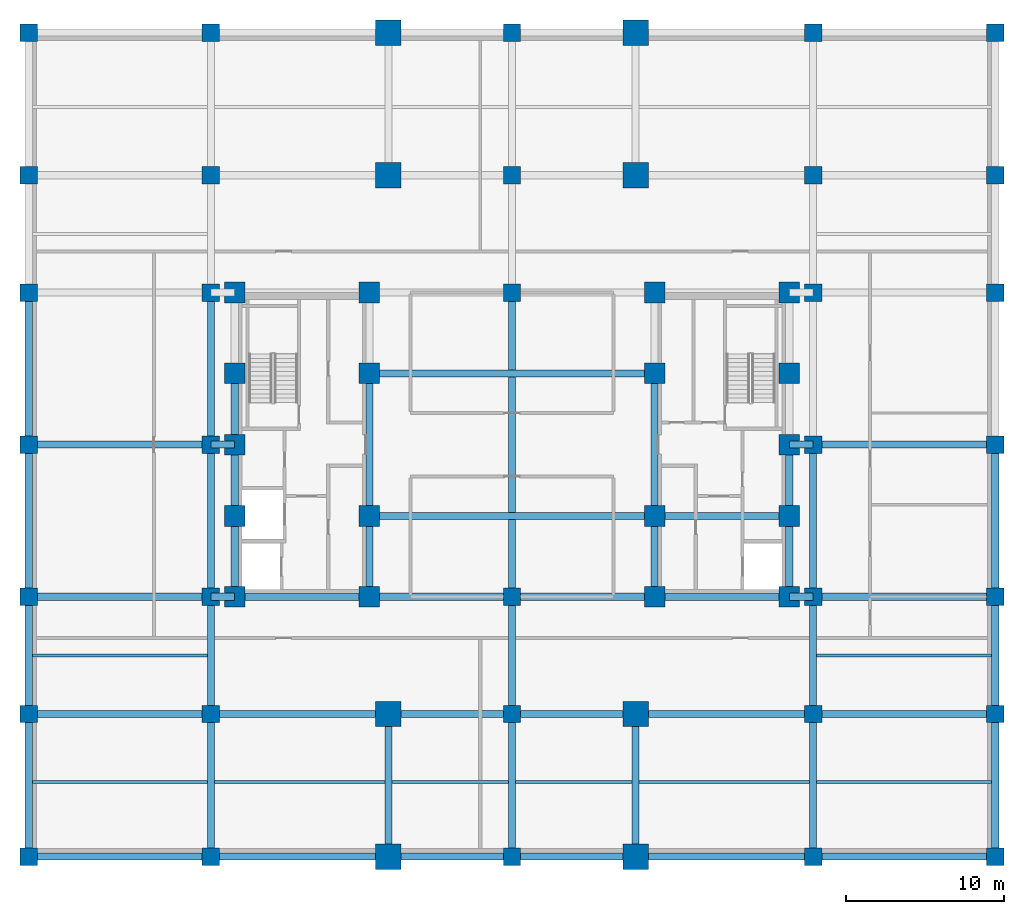
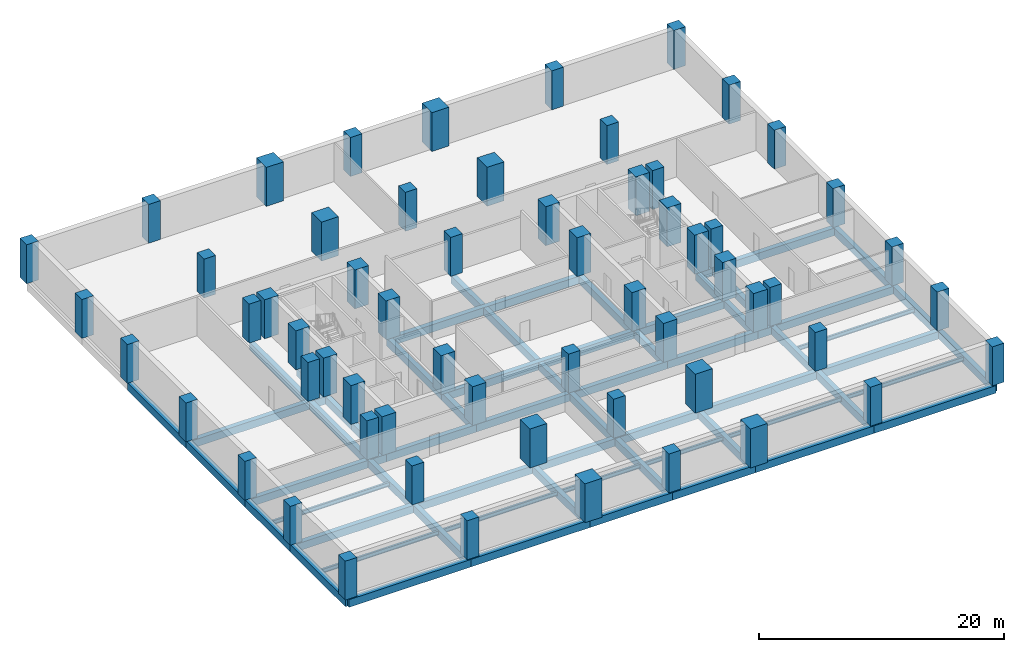
# One storey, part 1 of 6: 63 beams, 60 columns.
"""IFC4 building model written with IfcOpenShell, lengths in metres."""

from ifc_helpers import new_model, si_unit, direction, frame, origin, origin_2d, place, context, subcontext, project, spatial, rectangle, i_section, extrude, material, material_profile, profile_set, type_object, element, save


model = new_model("IFC4")

# Units and contexts
model_context = context("Model", 3, precision=1e-05, world=origin(), true_north=direction((0.0, 1.0)))
body_context = subcontext(model_context, "Body", "Model", "MODEL_VIEW")
ifc_project = project(units=[si_unit("LENGTHUNIT", "METRE"), si_unit("AREAUNIT", "SQUARE_METRE"), si_unit("VOLUMEUNIT", "CUBIC_METRE"), si_unit("PLANEANGLEUNIT", "RADIAN"), si_unit("MASSUNIT", "GRAM", prefix="KILO")], contexts=[model_context])

# Site, building, storey
site_placement = place(None, origin())
site = spatial("IfcSite", under=ifc_project, at=site_placement, CompositionType="ELEMENT")
building_placement = place(site_placement, origin())
building = spatial("IfcBuilding", under=site, at=building_placement, Name="Nuvemarco Arch Tower", CompositionType="ELEMENT")
storey_placement = place(building_placement, frame((0.0, 0.0, -4.199951171875)))
storey = spatial("IfcBuildingStorey", under=building, at=storey_placement, Name="B01", CompositionType="ELEMENT", Elevation=-4.199951171875)

# Columns
ifc_material_1 = material(Name="Concrete C60/75", Category="concrete")
ifc_material_profile_1 = material_profile(ifc_material_1, rectangle(XDim=1.10009765625, YDim=1.10009765625, at=origin_2d()), Name="RC-COL-1100x1100")
ifc_profile_set_1 = profile_set([ifc_material_profile_1], Name="Concrete C60/75")
column_type_1 = type_object("IfcColumnType", Name="COL-CORE-1100", PredefinedType="COLUMN", material=ifc_profile_set_1)
for number, where, z_axis, x_axis, name in (
    (1, (-30.5, -26.0, 0.0), (0.0, 0.0, 1.0), (1.0, 0.0, 0.0), "B01 column CP_-30.5_-26.0"),
    (2, (-30.5, -17.0, 0.0), (0.0, 0.0, 1.0), (1.0, 0.0, 0.0), "B01 column CP_-30.5_-17.0"),
    (3, (-30.5, -9.60009765625, 0.0), (0.0, 0.0, 1.0), (1.0, 0.0, 0.0), "B01 column CP_-30.5_-9.6"),
    (4, (-30.5, 0.0, 0.0), (0.0, 0.0, 1.0), (1.0, 0.0, 0.0), "B01 column CP_-30.5_+0.0"),
    (5, (-30.5, 9.60009765625, 0.0), (0.0, 0.0, 1.0), (1.0, 0.0, 0.0), "B01 column CP_-30.5_+9.6"),
    (6, (-30.5, 17.0, 0.0), (0.0, 0.0, 1.0), (1.0, 0.0, 0.0), "B01 column CP_-30.5_+17.0"),
    (7, (-30.5, 26.0, 0.0), (0.0, 0.0, 1.0), (1.0, 0.0, 0.0), "B01 column CP_-30.5_+26.0"),
    (8, (-19.0, -26.0, 0.0), (0.0, 0.0, 1.0), (1.0, 0.0, 0.0), "B01 column CP_-19.0_-26.0"),
    (9, (-19.0, -17.0, 0.0), (0.0, 0.0, 1.0), (1.0, 0.0, 0.0), "B01 column CP_-19.0_-17.0"),
    (10, (-19.0, -9.60009765625, 0.0), (0.0, 0.0, 1.0), (1.0, 0.0, 0.0), "B01 column CP_-19.0_-9.6"),
    (11, (-19.0, 0.0, 0.0), (0.0, 0.0, 1.0), (1.0, 0.0, 0.0), "B01 column CP_-19.0_+0.0"),
    (12, (-19.0, 9.60009765625, 0.0), (0.0, 0.0, 1.0), (1.0, 0.0, 0.0), "B01 column CP_-19.0_+9.6"),
    (13, (-19.0, 17.0, 0.0), (0.0, 0.0, 1.0), (1.0, 0.0, 0.0), "B01 column CP_-19.0_+17.0"),
    (14, (-19.0, 26.0, 0.0), (0.0, 0.0, 1.0), (1.0, 0.0, 0.0), "B01 column CP_-19.0_+26.0"),
    (15, (19.0, -26.0, 0.0), (0.0, 0.0, 1.0), (1.0, 0.0, 0.0), "B01 column CP_+19.0_-26.0"),
    (16, (19.0, -17.0, 0.0), (0.0, 0.0, 1.0), (1.0, 0.0, 0.0), "B01 column CP_+19.0_-17.0"),
    (17, (19.0, -9.60009765625, 0.0), (0.0, 0.0, 1.0), (1.0, 0.0, 0.0), "B01 column CP_+19.0_-9.6"),
    (18, (19.0, 0.0, 0.0), (0.0, 0.0, 1.0), (1.0, 0.0, 0.0), "B01 column CP_+19.0_+0.0"),
    (19, (19.0, 9.60009765625, 0.0), (0.0, 0.0, 1.0), (1.0, 0.0, 0.0), "B01 column CP_+19.0_+9.6"),
    (20, (19.0, 17.0, 0.0), (0.0, 0.0, 1.0), (1.0, 0.0, 0.0), "B01 column CP_+19.0_+17.0"),
    (21, (19.0, 26.0, 0.0), (0.0, 0.0, 1.0), (1.0, 0.0, 0.0), "B01 column CP_+19.0_+26.0"),
    (22, (30.5, -26.0, 0.0), (0.0, 0.0, 1.0), (1.0, 0.0, 0.0), "B01 column CP_+30.5_-26.0"),
    (23, (30.5, -17.0, 0.0), (0.0, 0.0, 1.0), (1.0, 0.0, 0.0), "B01 column CP_+30.5_-17.0"),
    (24, (30.5, -9.60009765625, 0.0), (0.0, 0.0, 1.0), (1.0, 0.0, 0.0), "B01 column CP_+30.5_-9.6"),
    (25, (30.5, 0.0, 0.0), (0.0, 0.0, 1.0), (1.0, 0.0, 0.0), "B01 column CP_+30.5_+0.0"),
    (26, (30.5, 9.60009765625, 0.0), (0.0, 0.0, 1.0), (1.0, 0.0, 0.0), "B01 column CP_+30.5_+9.6"),
    (27, (30.5, 17.0, 0.0), (0.0, 0.0, 1.0), (1.0, 0.0, 0.0), "B01 column CP_+30.5_+17.0"),
    (28, (30.5, 26.0, 0.0), (0.0, 0.0, 1.0), (1.0, 0.0, 0.0), "B01 column CP_+30.5_+26.0"),
    (29, (0.0, -26.0, 0.0), (0.0, 0.0, 1.0), (1.0, 0.0, 0.0), "B01 column CB_0.0_-26.0"),
    (30, (0.0, -17.0, 0.0), (0.0, 0.0, 1.0), (1.0, 0.0, 0.0), "B01 column CB_0.0_-17.0"),
    (31, (0.0, -9.60009765625, 0.0), (0.0, 0.0, 1.0), (1.0, 0.0, 0.0), "B01 column CB_0.0_-9.6"),
    (32, (0.0, 9.60009765625, 0.0), (0.0, 0.0, 1.0), (1.0, 0.0, 0.0), "B01 column CB_0.0_+9.6"),
    (33, (0.0, 17.0, 0.0), (0.0, 0.0, 1.0), (1.0, 0.0, 0.0), "B01 column CB_0.0_+17.0"),
    (34, (0.0, 26.0, 0.0), (0.0, 0.0, 1.0), (1.0, 0.0, 0.0), "B01 column CB_0.0_+26.0"),
):
    element("IfcColumn", number, at=place(storey_placement, frame(where, z_axis=z_axis, x_axis=x_axis)), inside=storey, type_object=column_type_1, Name=name, PredefinedType="COLUMN", context=body_context, shape_type="SweptSolid", body=[
        extrude(rectangle(XDim=1.10009765625, YDim=1.10009765625, at=origin_2d()), origin(), (0.0, 0.0, 1.0), 3.8798828125),
    ])
ifc_material_profile_2 = material_profile(ifc_material_1, rectangle(XDim=1.300048828125, YDim=1.300048828125, at=origin_2d()), Name="RC-COL-1300x1300")
ifc_profile_set_2 = profile_set([ifc_material_profile_2], Name="Concrete C60/75")
column_type_2 = type_object("IfcColumnType", Name="COL-CORE-1300", PredefinedType="COLUMN", material=ifc_profile_set_2)
for number, where, z_axis, x_axis, name in (
    (35, (-17.5, -9.60009765625, 0.0), (0.0, 0.0, 1.0), (1.0, 0.0, 0.0), "B01 column CC_-17.5_-9.6"),
    (36, (-17.5, -4.5, 0.0), (0.0, 0.0, 1.0), (1.0, 0.0, 0.0), "B01 column CC_-17.5_-4.5"),
    (37, (-17.5, 4.5, 0.0), (0.0, 0.0, 1.0), (1.0, 0.0, 0.0), "B01 column CC_-17.5_+4.5"),
    (38, (-17.5, 9.60009765625, 0.0), (0.0, 0.0, 1.0), (1.0, 0.0, 0.0), "B01 column CC_-17.5_+9.6"),
    (39, (-9.0, -9.60009765625, 0.0), (0.0, 0.0, 1.0), (1.0, 0.0, 0.0), "B01 column CC_-9.0_-9.6"),
    (40, (-9.0, -4.5, 0.0), (0.0, 0.0, 1.0), (1.0, 0.0, 0.0), "B01 column CC_-9.0_-4.5"),
    (41, (-9.0, 4.5, 0.0), (0.0, 0.0, 1.0), (1.0, 0.0, 0.0), "B01 column CC_-9.0_+4.5"),
    (42, (-9.0, 9.60009765625, 0.0), (0.0, 0.0, 1.0), (1.0, 0.0, 0.0), "B01 column CC_-9.0_+9.6"),
    (43, (9.0, -9.60009765625, 0.0), (0.0, 0.0, 1.0), (1.0, 0.0, 0.0), "B01 column CC_+9.0_-9.6"),
    (44, (9.0, -4.5, 0.0), (0.0, 0.0, 1.0), (1.0, 0.0, 0.0), "B01 column CC_+9.0_-4.5"),
    (45, (9.0, 4.5, 0.0), (0.0, 0.0, 1.0), (1.0, 0.0, 0.0), "B01 column CC_+9.0_+4.5"),
    (46, (9.0, 9.60009765625, 0.0), (0.0, 0.0, 1.0), (1.0, 0.0, 0.0), "B01 column CC_+9.0_+9.6"),
    (47, (17.5, -9.60009765625, 0.0), (0.0, 0.0, 1.0), (1.0, 0.0, 0.0), "B01 column CC_+17.5_-9.6"),
    (48, (17.5, -4.5, 0.0), (0.0, 0.0, 1.0), (1.0, 0.0, 0.0), "B01 column CC_+17.5_-4.5"),
    (49, (17.5, 4.5, 0.0), (0.0, 0.0, 1.0), (1.0, 0.0, 0.0), "B01 column CC_+17.5_+4.5"),
    (50, (17.5, 9.60009765625, 0.0), (0.0, 0.0, 1.0), (1.0, 0.0, 0.0), "B01 column CC_+17.5_+9.6"),
    (51, (-17.5, 0.0, 0.0), (0.0, 0.0, 1.0), (1.0, 0.0, 0.0), "B01 column CC_-17.5_+0.0"),
    (52, (17.5, 0.0, 0.0), (0.0, 0.0, 1.0), (1.0, 0.0, 0.0), "B01 column CC_+17.5_+0.0"),
):
    element("IfcColumn", number, at=place(storey_placement, frame(where, z_axis=z_axis, x_axis=x_axis)), inside=storey, type_object=column_type_2, Name=name, PredefinedType="COLUMN", context=body_context, shape_type="SweptSolid", body=[
        extrude(rectangle(XDim=1.300048828125, YDim=1.300048828125, at=origin_2d()), origin(), (0.0, 0.0, 1.0), 3.8798828125),
    ])
ifc_material_profile_3 = material_profile(ifc_material_1, rectangle(XDim=1.60009765625, YDim=1.60009765625, at=origin_2d()), Name="RC-COL-1600x1600")
ifc_profile_set_3 = profile_set([ifc_material_profile_3], Name="Concrete C60/75")
column_type_3 = type_object("IfcColumnType", Name="COL-MEGA-1600", PredefinedType="COLUMN", material=ifc_profile_set_3)
for number, where, z_axis, x_axis, name in (
    (53, (-7.800048828125, -26.0, 0.0), (0.0, 0.0, 1.0), (1.0, 0.0, 0.0), "B01 column CM_-7.8_-26.0"),
    (54, (-7.800048828125, -17.0, 0.0), (0.0, 0.0, 1.0), (1.0, 0.0, 0.0), "B01 column CM_-7.8_-17.0"),
    (55, (-7.800048828125, 17.0, 0.0), (0.0, 0.0, 1.0), (1.0, 0.0, 0.0), "B01 column CM_-7.8_+17.0"),
    (56, (-7.800048828125, 26.0, 0.0), (0.0, 0.0, 1.0), (1.0, 0.0, 0.0), "B01 column CM_-7.8_+26.0"),
    (57, (7.800048828125, -26.0, 0.0), (0.0, 0.0, 1.0), (1.0, 0.0, 0.0), "B01 column CM_+7.8_-26.0"),
    (58, (7.800048828125, -17.0, 0.0), (0.0, 0.0, 1.0), (1.0, 0.0, 0.0), "B01 column CM_+7.8_-17.0"),
    (59, (7.800048828125, 17.0, 0.0), (0.0, 0.0, 1.0), (1.0, 0.0, 0.0), "B01 column CM_+7.8_+17.0"),
    (60, (7.800048828125, 26.0, 0.0), (0.0, 0.0, 1.0), (1.0, 0.0, 0.0), "B01 column CM_+7.8_+26.0"),
):
    element("IfcColumn", number, at=place(storey_placement, frame(where, z_axis=z_axis, x_axis=x_axis)), inside=storey, type_object=column_type_3, Name=name, PredefinedType="COLUMN", context=body_context, shape_type="SweptSolid", body=[
        extrude(rectangle(XDim=1.60009765625, YDim=1.60009765625, at=origin_2d()), origin(), (0.0, 0.0, 1.0), 3.8798828125),
    ])

# Beams
ifc_material_2 = material(Name="Concrete C50/60", Category="concrete")
ifc_material_profile_4 = material_profile(ifc_material_2, rectangle(XDim=0.449951171875, YDim=0.75, at=origin_2d()), Name="RC-BM-450x750")
ifc_profile_set_4 = profile_set([ifc_material_profile_4], Name="Concrete C50/60")
beam_type_1 = type_object("IfcBeamType", Name="BM-BASE-RC", PredefinedType="BEAM", material=ifc_profile_set_4)
beam_1_placement = place(storey_placement, frame((-30.5, -26.0, -0.72509765625), z_axis=(0.0, 1.0, 0.0), x_axis=(-1.0, 0.0, 0.0)))
element("IfcBeam", 61, at=beam_1_placement, inside=storey, type_object=beam_type_1, Name="B01 structural beam BGNS_B01_0_-30.5_-26.0", PredefinedType="BEAM", context=body_context, shape_type="SweptSolid", body=[
    extrude(rectangle(XDim=0.449951171875, YDim=0.75, at=origin_2d()), origin(), (0.0, 0.0, 1.0), 9.0),
])
beam_2_placement = place(storey_placement, frame((-30.5, -17.0, -0.72509765625), z_axis=(0.0, 1.0, 0.0), x_axis=(-1.0, 0.0, 0.0)))
element("IfcBeam", 62, at=beam_2_placement, inside=storey, type_object=beam_type_1, Name="B01 structural beam BGNS_B01_0_-30.5_-17.0", PredefinedType="BEAM", context=body_context, shape_type="SweptSolid", body=[
    extrude(rectangle(XDim=0.449951171875, YDim=0.75, at=origin_2d()), origin(), (0.0, 0.0, 1.0), 7.39990234375),
])
for number, where, z_axis, x_axis, name in (
    (63, (-30.5, -9.60009765625, -0.72509765625), (0.0, 1.0, 0.0), (-1.0, 0.0, 0.0), "B01 structural beam BGNS_B01_0_-30.5_-9.6"),
    (64, (-30.5, 0.0, -0.72509765625), (0.0, 1.0, 0.0), (-1.0, 0.0, 0.0), "B01 structural beam BGNS_B01_0_-30.5_+0.0"),
):
    element("IfcBeam", number, at=place(storey_placement, frame(where, z_axis=z_axis, x_axis=x_axis)), inside=storey, type_object=beam_type_1, Name=name, PredefinedType="BEAM", context=body_context, shape_type="SweptSolid", body=[
        extrude(rectangle(XDim=0.449951171875, YDim=0.75, at=origin_2d()), origin(), (0.0, 0.0, 1.0), 9.60009765625),
    ])
beam_3_placement = place(storey_placement, frame((-19.0, -26.0, -0.72509765625), z_axis=(0.0, 1.0, 0.0), x_axis=(-1.0, 0.0, 0.0)))
element("IfcBeam", 65, at=beam_3_placement, inside=storey, type_object=beam_type_1, Name="B01 structural beam BGNS_B01_0_-19.0_-26.0", PredefinedType="BEAM", context=body_context, shape_type="SweptSolid", body=[
    extrude(rectangle(XDim=0.449951171875, YDim=0.75, at=origin_2d()), origin(), (0.0, 0.0, 1.0), 9.0),
])
beam_4_placement = place(storey_placement, frame((-19.0, -17.0, -0.72509765625), z_axis=(0.0, 1.0, 0.0), x_axis=(-1.0, 0.0, 0.0)))
element("IfcBeam", 66, at=beam_4_placement, inside=storey, type_object=beam_type_1, Name="B01 structural beam BGNS_B01_0_-19.0_-17.0", PredefinedType="BEAM", context=body_context, shape_type="SweptSolid", body=[
    extrude(rectangle(XDim=0.449951171875, YDim=0.75, at=origin_2d()), origin(), (0.0, 0.0, 1.0), 7.39990234375),
])
for number, where, z_axis, x_axis, name in (
    (67, (-19.0, -9.60009765625, -0.72509765625), (0.0, 1.0, 0.0), (-1.0, 0.0, 0.0), "B01 structural beam BGNS_B01_0_-19.0_-9.6"),
    (68, (-19.0, 0.0, -0.72509765625), (0.0, 1.0, 0.0), (-1.0, 0.0, 0.0), "B01 structural beam BGNS_B01_0_-19.0_+0.0"),
):
    element("IfcBeam", number, at=place(storey_placement, frame(where, z_axis=z_axis, x_axis=x_axis)), inside=storey, type_object=beam_type_1, Name=name, PredefinedType="BEAM", context=body_context, shape_type="SweptSolid", body=[
        extrude(rectangle(XDim=0.449951171875, YDim=0.75, at=origin_2d()), origin(), (0.0, 0.0, 1.0), 9.60009765625),
    ])
beam_5_placement = place(storey_placement, frame((-17.5, -9.60009765625, -0.72509765625), z_axis=(0.0, 1.0, 0.0), x_axis=(-1.0, 0.0, 0.0)))
element("IfcBeam", 69, at=beam_5_placement, inside=storey, type_object=beam_type_1, Name="B01 structural beam BGNS_B01_0_-17.5_-9.6", PredefinedType="BEAM", context=body_context, shape_type="SweptSolid", body=[
    extrude(rectangle(XDim=0.449951171875, YDim=0.75, at=origin_2d()), origin(), (0.0, 0.0, 1.0), 5.10009765625),
])
for number, where, z_axis, x_axis, name in (
    (70, (-17.5, -4.5, -0.72509765625), (0.0, 1.0, 0.0), (-1.0, 0.0, 0.0), "B01 structural beam BGNS_B01_0_-17.5_-4.5"),
    (71, (-17.5, 0.0, -0.72509765625), (0.0, 1.0, 0.0), (-1.0, 0.0, 0.0), "B01 structural beam BGNS_B01_0_-17.5_+0.0"),
):
    element("IfcBeam", number, at=place(storey_placement, frame(where, z_axis=z_axis, x_axis=x_axis)), inside=storey, type_object=beam_type_1, Name=name, PredefinedType="BEAM", context=body_context, shape_type="SweptSolid", body=[
        extrude(rectangle(XDim=0.449951171875, YDim=0.75, at=origin_2d()), origin(), (0.0, 0.0, 1.0), 4.5),
    ])
beam_6_placement = place(storey_placement, frame((-9.0, -9.60009765625, -0.72509765625), z_axis=(0.0, 1.0, 0.0), x_axis=(-1.0, 0.0, 0.0)))
element("IfcBeam", 72, at=beam_6_placement, inside=storey, type_object=beam_type_1, Name="B01 structural beam BGNS_B01_0_-9.0_-9.6", PredefinedType="BEAM", context=body_context, shape_type="SweptSolid", body=[
    extrude(rectangle(XDim=0.449951171875, YDim=0.75, at=origin_2d()), origin(), (0.0, 0.0, 1.0), 5.10009765625),
])
for number, where, z_axis, x_axis, name in (
    (73, (-9.0, -4.5, -0.72509765625), (0.0, 1.0, 0.0), (-1.0, 0.0, 0.0), "B01 structural beam BGNS_B01_0_-9.0_-4.5"),
    (74, (-7.800048828125, -26.0, -0.72509765625), (0.0, 1.0, 0.0), (-1.0, 0.0, 0.0), "B01 structural beam BGNS_B01_0_-7.8_-26.0"),
    (75, (0.0, -26.0, -0.72509765625), (0.0, 1.0, 0.0), (-1.0, 0.0, 0.0), "B01 structural beam BGNS_B01_0_+0.0_-26.0"),
):
    element("IfcBeam", number, at=place(storey_placement, frame(where, z_axis=z_axis, x_axis=x_axis)), inside=storey, type_object=beam_type_1, Name=name, PredefinedType="BEAM", context=body_context, shape_type="SweptSolid", body=[
        extrude(rectangle(XDim=0.449951171875, YDim=0.75, at=origin_2d()), origin(), (0.0, 0.0, 1.0), 9.0),
    ])
beam_7_placement = place(storey_placement, frame((0.0, -17.0, -0.72509765625), z_axis=(0.0, 1.0, 0.0), x_axis=(-1.0, 0.0, 0.0)))
element("IfcBeam", 76, at=beam_7_placement, inside=storey, type_object=beam_type_1, Name="B01 structural beam BGNS_B01_0_+0.0_-17.0", PredefinedType="BEAM", context=body_context, shape_type="SweptSolid", body=[
    extrude(rectangle(XDim=0.449951171875, YDim=0.75, at=origin_2d()), origin(), (0.0, 0.0, 1.0), 7.39990234375),
])
beam_8_placement = place(storey_placement, frame((0.0, -9.60009765625, -0.72509765625), z_axis=(0.0, 1.0, 0.0), x_axis=(-1.0, 0.0, 0.0)))
element("IfcBeam", 77, at=beam_8_placement, inside=storey, type_object=beam_type_1, Name="B01 structural beam BGNS_B01_0_+0.0_-9.6", PredefinedType="BEAM", context=body_context, shape_type="SweptSolid", body=[
    extrude(rectangle(XDim=0.449951171875, YDim=0.75, at=origin_2d()), origin(), (0.0, 0.0, 1.0), 19.2001953125),
])
beam_9_placement = place(storey_placement, frame((7.800048828125, -26.0, -0.72509765625), z_axis=(0.0, 1.0, 0.0), x_axis=(-1.0, 0.0, 0.0)))
element("IfcBeam", 78, at=beam_9_placement, inside=storey, type_object=beam_type_1, Name="B01 structural beam BGNS_B01_0_+7.8_-26.0", PredefinedType="BEAM", context=body_context, shape_type="SweptSolid", body=[
    extrude(rectangle(XDim=0.449951171875, YDim=0.75, at=origin_2d()), origin(), (0.0, 0.0, 1.0), 9.0),
])
beam_10_placement = place(storey_placement, frame((9.0, -9.60009765625, -0.72509765625), z_axis=(0.0, 1.0, 0.0), x_axis=(-1.0, 0.0, 0.0)))
element("IfcBeam", 79, at=beam_10_placement, inside=storey, type_object=beam_type_1, Name="B01 structural beam BGNS_B01_0_+9.0_-9.6", PredefinedType="BEAM", context=body_context, shape_type="SweptSolid", body=[
    extrude(rectangle(XDim=0.449951171875, YDim=0.75, at=origin_2d()), origin(), (0.0, 0.0, 1.0), 5.10009765625),
])
beam_11_placement = place(storey_placement, frame((9.0, -4.5, -0.72509765625), z_axis=(0.0, 1.0, 0.0), x_axis=(-1.0, 0.0, 0.0)))
element("IfcBeam", 80, at=beam_11_placement, inside=storey, type_object=beam_type_1, Name="B01 structural beam BGNS_B01_0_+9.0_-4.5", PredefinedType="BEAM", context=body_context, shape_type="SweptSolid", body=[
    extrude(rectangle(XDim=0.449951171875, YDim=0.75, at=origin_2d()), origin(), (0.0, 0.0, 1.0), 9.0),
])
beam_12_placement = place(storey_placement, frame((17.5, -9.60009765625, -0.72509765625), z_axis=(0.0, 1.0, 0.0), x_axis=(-1.0, 0.0, 0.0)))
element("IfcBeam", 81, at=beam_12_placement, inside=storey, type_object=beam_type_1, Name="B01 structural beam BGNS_B01_0_+17.5_-9.6", PredefinedType="BEAM", context=body_context, shape_type="SweptSolid", body=[
    extrude(rectangle(XDim=0.449951171875, YDim=0.75, at=origin_2d()), origin(), (0.0, 0.0, 1.0), 5.10009765625),
])
beam_13_placement = place(storey_placement, frame((17.5, -4.5, -0.72509765625), z_axis=(0.0, 1.0, 0.0), x_axis=(-1.0, 0.0, 0.0)))
element("IfcBeam", 82, at=beam_13_placement, inside=storey, type_object=beam_type_1, Name="B01 structural beam BGNS_B01_0_+17.5_-4.5", PredefinedType="BEAM", context=body_context, shape_type="SweptSolid", body=[
    extrude(rectangle(XDim=0.449951171875, YDim=0.75, at=origin_2d()), origin(), (0.0, 0.0, 1.0), 4.5),
])
beam_14_placement = place(storey_placement, frame((19.0, -26.0, -0.72509765625), z_axis=(0.0, 1.0, 0.0), x_axis=(-1.0, 0.0, 0.0)))
element("IfcBeam", 83, at=beam_14_placement, inside=storey, type_object=beam_type_1, Name="B01 structural beam BGNS_B01_0_+19.0_-26.0", PredefinedType="BEAM", context=body_context, shape_type="SweptSolid", body=[
    extrude(rectangle(XDim=0.449951171875, YDim=0.75, at=origin_2d()), origin(), (0.0, 0.0, 1.0), 9.0),
])
beam_15_placement = place(storey_placement, frame((19.0, -17.0, -0.72509765625), z_axis=(0.0, 1.0, 0.0), x_axis=(-1.0, 0.0, 0.0)))
element("IfcBeam", 84, at=beam_15_placement, inside=storey, type_object=beam_type_1, Name="B01 structural beam BGNS_B01_0_+19.0_-17.0", PredefinedType="BEAM", context=body_context, shape_type="SweptSolid", body=[
    extrude(rectangle(XDim=0.449951171875, YDim=0.75, at=origin_2d()), origin(), (0.0, 0.0, 1.0), 7.39990234375),
])
beam_16_placement = place(storey_placement, frame((19.0, -9.60009765625, -0.72509765625), z_axis=(0.0, 1.0, 0.0), x_axis=(-1.0, 0.0, 0.0)))
element("IfcBeam", 85, at=beam_16_placement, inside=storey, type_object=beam_type_1, Name="B01 structural beam BGNS_B01_0_+19.0_-9.6", PredefinedType="BEAM", context=body_context, shape_type="SweptSolid", body=[
    extrude(rectangle(XDim=0.449951171875, YDim=0.75, at=origin_2d()), origin(), (0.0, 0.0, 1.0), 9.60009765625),
])
beam_17_placement = place(storey_placement, frame((30.5, -26.0, -0.72509765625), z_axis=(0.0, 1.0, 0.0), x_axis=(-1.0, 0.0, 0.0)))
element("IfcBeam", 86, at=beam_17_placement, inside=storey, type_object=beam_type_1, Name="B01 structural beam BGNS_B01_0_+30.5_-26.0", PredefinedType="BEAM", context=body_context, shape_type="SweptSolid", body=[
    extrude(rectangle(XDim=0.449951171875, YDim=0.75, at=origin_2d()), origin(), (0.0, 0.0, 1.0), 9.0),
])
beam_18_placement = place(storey_placement, frame((30.5, -17.0, -0.72509765625), z_axis=(0.0, 1.0, 0.0), x_axis=(-1.0, 0.0, 0.0)))
element("IfcBeam", 87, at=beam_18_placement, inside=storey, type_object=beam_type_1, Name="B01 structural beam BGNS_B01_0_+30.5_-17.0", PredefinedType="BEAM", context=body_context, shape_type="SweptSolid", body=[
    extrude(rectangle(XDim=0.449951171875, YDim=0.75, at=origin_2d()), origin(), (0.0, 0.0, 1.0), 7.39990234375),
])
beam_19_placement = place(storey_placement, frame((30.5, -9.60009765625, -0.72509765625), z_axis=(0.0, 1.0, 0.0), x_axis=(-1.0, 0.0, 0.0)))
element("IfcBeam", 88, at=beam_19_placement, inside=storey, type_object=beam_type_1, Name="B01 structural beam BGNS_B01_0_+30.5_-9.6", PredefinedType="BEAM", context=body_context, shape_type="SweptSolid", body=[
    extrude(rectangle(XDim=0.449951171875, YDim=0.75, at=origin_2d()), origin(), (0.0, 0.0, 1.0), 9.60009765625),
])
beam_20_placement = place(storey_placement, frame((-30.5, -26.0, -0.72509765625), z_axis=(1.0, 0.0, 0.0), x_axis=(0.0, 1.0, 0.0)))
element("IfcBeam", 89, at=beam_20_placement, inside=storey, type_object=beam_type_1, Name="B01 structural beam BGEW_B01_0_-26.0_-30.5", PredefinedType="BEAM", context=body_context, shape_type="SweptSolid", body=[
    extrude(rectangle(XDim=0.449951171875, YDim=0.75, at=origin_2d()), origin(), (0.0, 0.0, 1.0), 11.5),
])
beam_21_placement = place(storey_placement, frame((-19.0, -26.0, -0.72509765625), z_axis=(1.0, 0.0, 0.0), x_axis=(0.0, 1.0, 0.0)))
element("IfcBeam", 90, at=beam_21_placement, inside=storey, type_object=beam_type_1, Name="B01 structural beam BGEW_B01_0_-26.0_-19.0", PredefinedType="BEAM", context=body_context, shape_type="SweptSolid", body=[
    extrude(rectangle(XDim=0.449951171875, YDim=0.75, at=origin_2d()), origin(), (0.0, 0.0, 1.0), 11.199951171875),
])
for number, where, z_axis, x_axis, name in (
    (91, (-7.800048828125, -26.0, -0.72509765625), (1.0, 0.0, 0.0), (0.0, 1.0, 0.0), "B01 structural beam BGEW_B01_0_-26.0_-7.8"),
    (92, (0.0, -26.0, -0.72509765625), (1.0, 0.0, 0.0), (0.0, 1.0, 0.0), "B01 structural beam BGEW_B01_0_-26.0_+0.0"),
):
    element("IfcBeam", number, at=place(storey_placement, frame(where, z_axis=z_axis, x_axis=x_axis)), inside=storey, type_object=beam_type_1, Name=name, PredefinedType="BEAM", context=body_context, shape_type="SweptSolid", body=[
        extrude(rectangle(XDim=0.449951171875, YDim=0.75, at=origin_2d()), origin(), (0.0, 0.0, 1.0), 7.800048828125),
    ])
beam_22_placement = place(storey_placement, frame((7.800048828125, -26.0, -0.72509765625), z_axis=(1.0, 0.0, 0.0), x_axis=(0.0, 1.0, 0.0)))
element("IfcBeam", 93, at=beam_22_placement, inside=storey, type_object=beam_type_1, Name="B01 structural beam BGEW_B01_0_-26.0_+7.8", PredefinedType="BEAM", context=body_context, shape_type="SweptSolid", body=[
    extrude(rectangle(XDim=0.449951171875, YDim=0.75, at=origin_2d()), origin(), (0.0, 0.0, 1.0), 11.199951171875),
])
for number, where, z_axis, x_axis, name in (
    (94, (19.0, -26.0, -0.72509765625), (1.0, 0.0, 0.0), (0.0, 1.0, 0.0), "B01 structural beam BGEW_B01_0_-26.0_+19.0"),
    (95, (-30.5, -17.0, -0.72509765625), (1.0, 0.0, 0.0), (0.0, 1.0, 0.0), "B01 structural beam BGEW_B01_0_-17.0_-30.5"),
):
    element("IfcBeam", number, at=place(storey_placement, frame(where, z_axis=z_axis, x_axis=x_axis)), inside=storey, type_object=beam_type_1, Name=name, PredefinedType="BEAM", context=body_context, shape_type="SweptSolid", body=[
        extrude(rectangle(XDim=0.449951171875, YDim=0.75, at=origin_2d()), origin(), (0.0, 0.0, 1.0), 11.5),
    ])
beam_23_placement = place(storey_placement, frame((-19.0, -17.0, -0.72509765625), z_axis=(1.0, 0.0, 0.0), x_axis=(0.0, 1.0, 0.0)))
element("IfcBeam", 96, at=beam_23_placement, inside=storey, type_object=beam_type_1, Name="B01 structural beam BGEW_B01_0_-17.0_-19.0", PredefinedType="BEAM", context=body_context, shape_type="SweptSolid", body=[
    extrude(rectangle(XDim=0.449951171875, YDim=0.75, at=origin_2d()), origin(), (0.0, 0.0, 1.0), 11.199951171875),
])
for number, where, z_axis, x_axis, name in (
    (97, (-7.800048828125, -17.0, -0.72509765625), (1.0, 0.0, 0.0), (0.0, 1.0, 0.0), "B01 structural beam BGEW_B01_0_-17.0_-7.8"),
    (98, (0.0, -17.0, -0.72509765625), (1.0, 0.0, 0.0), (0.0, 1.0, 0.0), "B01 structural beam BGEW_B01_0_-17.0_+0.0"),
):
    element("IfcBeam", number, at=place(storey_placement, frame(where, z_axis=z_axis, x_axis=x_axis)), inside=storey, type_object=beam_type_1, Name=name, PredefinedType="BEAM", context=body_context, shape_type="SweptSolid", body=[
        extrude(rectangle(XDim=0.449951171875, YDim=0.75, at=origin_2d()), origin(), (0.0, 0.0, 1.0), 7.800048828125),
    ])
beam_24_placement = place(storey_placement, frame((7.800048828125, -17.0, -0.72509765625), z_axis=(1.0, 0.0, 0.0), x_axis=(0.0, 1.0, 0.0)))
element("IfcBeam", 99, at=beam_24_placement, inside=storey, type_object=beam_type_1, Name="B01 structural beam BGEW_B01_0_-17.0_+7.8", PredefinedType="BEAM", context=body_context, shape_type="SweptSolid", body=[
    extrude(rectangle(XDim=0.449951171875, YDim=0.75, at=origin_2d()), origin(), (0.0, 0.0, 1.0), 11.199951171875),
])
for number, where, z_axis, x_axis, name in (
    (100, (19.0, -17.0, -0.72509765625), (1.0, 0.0, 0.0), (0.0, 1.0, 0.0), "B01 structural beam BGEW_B01_0_-17.0_+19.0"),
    (101, (-30.5, -9.60009765625, -0.72509765625), (1.0, 0.0, 0.0), (0.0, 1.0, 0.0), "B01 structural beam BGEW_B01_0_-9.6_-30.5"),
):
    element("IfcBeam", number, at=place(storey_placement, frame(where, z_axis=z_axis, x_axis=x_axis)), inside=storey, type_object=beam_type_1, Name=name, PredefinedType="BEAM", context=body_context, shape_type="SweptSolid", body=[
        extrude(rectangle(XDim=0.449951171875, YDim=0.75, at=origin_2d()), origin(), (0.0, 0.0, 1.0), 11.5),
    ])
beam_25_placement = place(storey_placement, frame((-19.0, -9.60009765625, -0.72509765625), z_axis=(1.0, 0.0, 0.0), x_axis=(0.0, 1.0, 0.0)))
element("IfcBeam", 102, at=beam_25_placement, inside=storey, type_object=beam_type_1, Name="B01 structural beam BGEW_B01_0_-9.6_-19.0", PredefinedType="BEAM", context=body_context, shape_type="SweptSolid", body=[
    extrude(rectangle(XDim=0.449951171875, YDim=0.75, at=origin_2d()), origin(), (0.0, 0.0, 1.0), 1.5),
])
beam_26_placement = place(storey_placement, frame((-17.5, -9.60009765625, -0.72509765625), z_axis=(1.0, 0.0, 0.0), x_axis=(0.0, 1.0, 0.0)))
element("IfcBeam", 103, at=beam_26_placement, inside=storey, type_object=beam_type_1, Name="B01 structural beam BGEW_B01_0_-9.6_-17.5", PredefinedType="BEAM", context=body_context, shape_type="SweptSolid", body=[
    extrude(rectangle(XDim=0.449951171875, YDim=0.75, at=origin_2d()), origin(), (0.0, 0.0, 1.0), 8.5),
])
for number, where, z_axis, x_axis, name in (
    (104, (-9.0, -9.60009765625, -0.72509765625), (1.0, 0.0, 0.0), (0.0, 1.0, 0.0), "B01 structural beam BGEW_B01_0_-9.6_-9.0"),
    (105, (0.0, -9.60009765625, -0.72509765625), (1.0, 0.0, 0.0), (0.0, 1.0, 0.0), "B01 structural beam BGEW_B01_0_-9.6_+0.0"),
):
    element("IfcBeam", number, at=place(storey_placement, frame(where, z_axis=z_axis, x_axis=x_axis)), inside=storey, type_object=beam_type_1, Name=name, PredefinedType="BEAM", context=body_context, shape_type="SweptSolid", body=[
        extrude(rectangle(XDim=0.449951171875, YDim=0.75, at=origin_2d()), origin(), (0.0, 0.0, 1.0), 9.0),
    ])
beam_27_placement = place(storey_placement, frame((9.0, -9.60009765625, -0.72509765625), z_axis=(1.0, 0.0, 0.0), x_axis=(0.0, 1.0, 0.0)))
element("IfcBeam", 106, at=beam_27_placement, inside=storey, type_object=beam_type_1, Name="B01 structural beam BGEW_B01_0_-9.6_+9.0", PredefinedType="BEAM", context=body_context, shape_type="SweptSolid", body=[
    extrude(rectangle(XDim=0.449951171875, YDim=0.75, at=origin_2d()), origin(), (0.0, 0.0, 1.0), 8.5),
])
beam_28_placement = place(storey_placement, frame((17.5, -9.60009765625, -0.72509765625), z_axis=(1.0, 0.0, 0.0), x_axis=(0.0, 1.0, 0.0)))
element("IfcBeam", 107, at=beam_28_placement, inside=storey, type_object=beam_type_1, Name="B01 structural beam BGEW_B01_0_-9.6_+17.5", PredefinedType="BEAM", context=body_context, shape_type="SweptSolid", body=[
    extrude(rectangle(XDim=0.449951171875, YDim=0.75, at=origin_2d()), origin(), (0.0, 0.0, 1.0), 1.5),
])
beam_29_placement = place(storey_placement, frame((19.0, -9.60009765625, -0.72509765625), z_axis=(1.0, 0.0, 0.0), x_axis=(0.0, 1.0, 0.0)))
element("IfcBeam", 108, at=beam_29_placement, inside=storey, type_object=beam_type_1, Name="B01 structural beam BGEW_B01_0_-9.6_+19.0", PredefinedType="BEAM", context=body_context, shape_type="SweptSolid", body=[
    extrude(rectangle(XDim=0.449951171875, YDim=0.75, at=origin_2d()), origin(), (0.0, 0.0, 1.0), 11.5),
])
beam_30_placement = place(storey_placement, frame((-9.0, -4.5, -0.72509765625), z_axis=(1.0, 0.0, 0.0), x_axis=(0.0, 1.0, 0.0)))
element("IfcBeam", 109, at=beam_30_placement, inside=storey, type_object=beam_type_1, Name="B01 structural beam BGEW_B01_0_-4.5_-9.0", PredefinedType="BEAM", context=body_context, shape_type="SweptSolid", body=[
    extrude(rectangle(XDim=0.449951171875, YDim=0.75, at=origin_2d()), origin(), (0.0, 0.0, 1.0), 18.0),
])
beam_31_placement = place(storey_placement, frame((9.0, -4.5, -0.72509765625), z_axis=(1.0, 0.0, 0.0), x_axis=(0.0, 1.0, 0.0)))
element("IfcBeam", 110, at=beam_31_placement, inside=storey, type_object=beam_type_1, Name="B01 structural beam BGEW_B01_0_-4.5_+9.0", PredefinedType="BEAM", context=body_context, shape_type="SweptSolid", body=[
    extrude(rectangle(XDim=0.449951171875, YDim=0.75, at=origin_2d()), origin(), (0.0, 0.0, 1.0), 8.5),
])
beam_32_placement = place(storey_placement, frame((-30.5, 0.0, -0.72509765625), z_axis=(1.0, 0.0, 0.0), x_axis=(0.0, 1.0, 0.0)))
element("IfcBeam", 111, at=beam_32_placement, inside=storey, type_object=beam_type_1, Name="B01 structural beam BGEW_B01_0_+0.0_-30.5", PredefinedType="BEAM", context=body_context, shape_type="SweptSolid", body=[
    extrude(rectangle(XDim=0.449951171875, YDim=0.75, at=origin_2d()), origin(), (0.0, 0.0, 1.0), 11.5),
])
for number, where, z_axis, x_axis, name in (
    (112, (-19.0, 0.0, -0.72509765625), (1.0, 0.0, 0.0), (0.0, 1.0, 0.0), "B01 structural beam BGEW_B01_0_+0.0_-19.0"),
    (113, (17.5, 0.0, -0.72509765625), (1.0, 0.0, 0.0), (0.0, 1.0, 0.0), "B01 structural beam BGEW_B01_0_+0.0_+17.5"),
):
    element("IfcBeam", number, at=place(storey_placement, frame(where, z_axis=z_axis, x_axis=x_axis)), inside=storey, type_object=beam_type_1, Name=name, PredefinedType="BEAM", context=body_context, shape_type="SweptSolid", body=[
        extrude(rectangle(XDim=0.449951171875, YDim=0.75, at=origin_2d()), origin(), (0.0, 0.0, 1.0), 1.5),
    ])
beam_33_placement = place(storey_placement, frame((19.0, 0.0, -0.72509765625), z_axis=(1.0, 0.0, 0.0), x_axis=(0.0, 1.0, 0.0)))
element("IfcBeam", 114, at=beam_33_placement, inside=storey, type_object=beam_type_1, Name="B01 structural beam BGEW_B01_0_+0.0_+19.0", PredefinedType="BEAM", context=body_context, shape_type="SweptSolid", body=[
    extrude(rectangle(XDim=0.449951171875, YDim=0.75, at=origin_2d()), origin(), (0.0, 0.0, 1.0), 11.5),
])
beam_34_placement = place(storey_placement, frame((-9.0, 4.5, -0.72509765625), z_axis=(1.0, 0.0, 0.0), x_axis=(0.0, 1.0, 0.0)))
element("IfcBeam", 115, at=beam_34_placement, inside=storey, type_object=beam_type_1, Name="B01 structural beam BGEW_B01_0_+4.5_-9.0", PredefinedType="BEAM", context=body_context, shape_type="SweptSolid", body=[
    extrude(rectangle(XDim=0.449951171875, YDim=0.75, at=origin_2d()), origin(), (0.0, 0.0, 1.0), 18.0),
])
ifc_material_3 = material(Name="Steel S355", Category="steel")
ifc_material_profile_5 = material_profile(ifc_material_3, i_section(OverallWidth=0.179931640625, OverallDepth=0.4130859375, WebThickness=0.009765625, FlangeThickness=0.01611328125, FilletRadius=0.014892578125, at=origin_2d()), Name="W410x75")
ifc_profile_set_5 = profile_set([ifc_material_profile_5], Name="Steel S355")
beam_type_2 = type_object("IfcBeamType", Name="BM-JOIST-410", PredefinedType="JOIST", material=ifc_profile_set_5)
beam_35_placement = place(storey_placement, frame((-30.27490234375, -21.300048828125, -0.556640625), z_axis=(1.0, 0.0, 0.0), x_axis=(0.0, 1.0, 0.0)))
element("IfcBeam", 116, at=beam_35_placement, inside=storey, type_object=beam_type_2, Name="B01 structural beam BJ_B01_0_-21.3_-30.5", PredefinedType="JOIST", context=body_context, shape_type="SweptSolid", body=[
    extrude(i_section(OverallWidth=0.179931640625, OverallDepth=0.4130859375, WebThickness=0.009765625, FlangeThickness=0.01611328125, FilletRadius=0.014892578125, at=origin_2d()), origin(), (0.0, 0.0, 1.0), 11.0498046875),
])
beam_36_placement = place(storey_placement, frame((-18.77490234375, -21.300048828125, -0.556640625), z_axis=(1.0, 0.0, 0.0), x_axis=(0.0, 1.0, 0.0)))
element("IfcBeam", 117, at=beam_36_placement, inside=storey, type_object=beam_type_2, Name="B01 structural beam BJ_B01_0_-21.3_-19.0", PredefinedType="JOIST", context=body_context, shape_type="SweptSolid", body=[
    extrude(i_section(OverallWidth=0.179931640625, OverallDepth=0.4130859375, WebThickness=0.009765625, FlangeThickness=0.01611328125, FilletRadius=0.014892578125, at=origin_2d()), origin(), (0.0, 0.0, 1.0), 10.75),
])
for number, where, z_axis, x_axis, name in (
    (118, (-7.574951171875, -21.300048828125, -0.556640625), (1.0, 0.0, 0.0), (0.0, 1.0, 0.0), "B01 structural beam BJ_B01_0_-21.3_-7.8"),
    (119, (0.22509765625, -21.300048828125, -0.556640625), (1.0, 0.0, 0.0), (0.0, 1.0, 0.0), "B01 structural beam BJ_B01_0_-21.3_+0.0"),
):
    element("IfcBeam", number, at=place(storey_placement, frame(where, z_axis=z_axis, x_axis=x_axis)), inside=storey, type_object=beam_type_2, Name=name, PredefinedType="JOIST", context=body_context, shape_type="SweptSolid", body=[
        extrude(i_section(OverallWidth=0.179931640625, OverallDepth=0.4130859375, WebThickness=0.009765625, FlangeThickness=0.01611328125, FilletRadius=0.014892578125, at=origin_2d()), origin(), (0.0, 0.0, 1.0), 7.349853515625),
    ])
beam_37_placement = place(storey_placement, frame((8.02490234375, -21.300048828125, -0.556640625), z_axis=(1.0, 0.0, 0.0), x_axis=(0.0, 1.0, 0.0)))
element("IfcBeam", 120, at=beam_37_placement, inside=storey, type_object=beam_type_2, Name="B01 structural beam BJ_B01_0_-21.3_+7.8", PredefinedType="JOIST", context=body_context, shape_type="SweptSolid", body=[
    extrude(i_section(OverallWidth=0.179931640625, OverallDepth=0.4130859375, WebThickness=0.009765625, FlangeThickness=0.01611328125, FilletRadius=0.014892578125, at=origin_2d()), origin(), (0.0, 0.0, 1.0), 10.75),
])
for number, where, z_axis, x_axis, name in (
    (121, (19.22509765625, -21.300048828125, -0.556640625), (1.0, 0.0, 0.0), (0.0, 1.0, 0.0), "B01 structural beam BJ_B01_0_-21.3_+19.0"),
    (122, (-30.27490234375, -13.300048828125, -0.556640625), (1.0, 0.0, 0.0), (0.0, 1.0, 0.0), "B01 structural beam BJ_B01_0_-13.3_-30.5"),
    (123, (19.22509765625, -13.300048828125, -0.556640625), (1.0, 0.0, 0.0), (0.0, 1.0, 0.0), "B01 structural beam BJ_B01_0_-13.3_+19.0"),
):
    element("IfcBeam", number, at=place(storey_placement, frame(where, z_axis=z_axis, x_axis=x_axis)), inside=storey, type_object=beam_type_2, Name=name, PredefinedType="JOIST", context=body_context, shape_type="SweptSolid", body=[
        extrude(i_section(OverallWidth=0.179931640625, OverallDepth=0.4130859375, WebThickness=0.009765625, FlangeThickness=0.01611328125, FilletRadius=0.014892578125, at=origin_2d()), origin(), (0.0, 0.0, 1.0), 11.0498046875),
    ])

save(model, "model.ifc")
